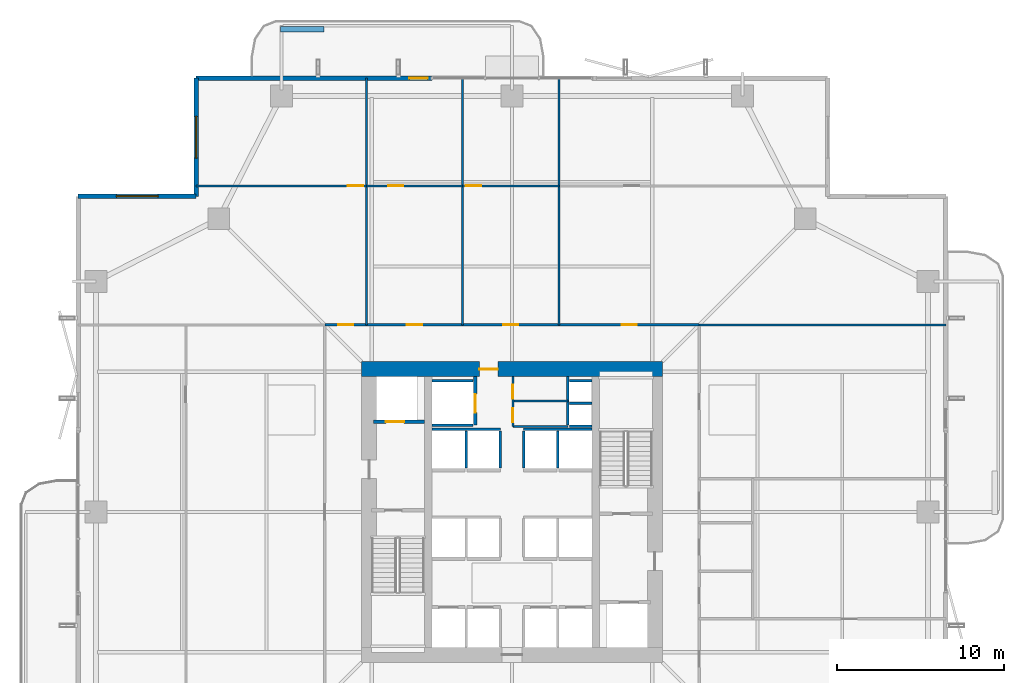
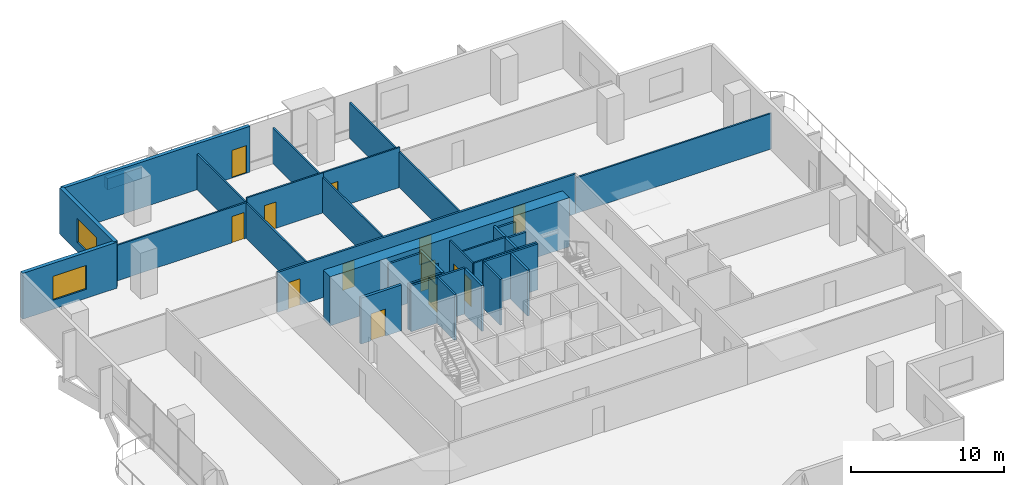
# One storey, part 19 of 24: 30 walls, 13 doors, 2 windows, 15 openings.
"""IFC4 building model written with IfcOpenShell, lengths in metres."""

from ifc_helpers import new_model, si_unit, direction, frame, frame_2d, origin, place, context, subcontext, project, spatial, rectangle, extrude, material, layer, layer_set, type_object, element, fill, save


model = new_model("IFC4")

# Units and contexts
model_context = context("Model", 3, precision=1e-05, world=origin(), true_north=direction((0.0, 1.0)))
body_context = subcontext(model_context, "Body", "Model", "MODEL_VIEW")
ifc_project = project(units=[si_unit("LENGTHUNIT", "METRE"), si_unit("AREAUNIT", "SQUARE_METRE"), si_unit("VOLUMEUNIT", "CUBIC_METRE"), si_unit("PLANEANGLEUNIT", "RADIAN"), si_unit("MASSUNIT", "GRAM", prefix="KILO")], contexts=[model_context])

# Site, building, storey
site_placement = place(None, origin())
site = spatial("IfcSite", under=ifc_project, at=site_placement, CompositionType="ELEMENT")
building_placement = place(site_placement, origin())
building = spatial("IfcBuilding", under=site, at=building_placement, Name="Belovzor Exchange Tower", CompositionType="ELEMENT")
storey_placement = place(building_placement, frame((0.0, 0.0, 129.0)))
storey = spatial("IfcBuildingStorey", under=building, at=storey_placement, Name="L31", CompositionType="ELEMENT", Elevation=129.0)

# Wall, opening, door
ifc_material_1 = material(Name="Acoustic Plasterboard on Galvanised Studs", Category="gypsum")
ifc_layer_1 = layer(ifc_material_1, 0.1201171875)
ifc_layer_set_1 = layer_set([ifc_layer_1], Name="Acoustic Plasterboard on Galvanised Studs")
wall_type_1 = type_object("IfcWallType", Name="Acoustic Double-Stud Partition Wall 120", PredefinedType="PARTITIONING", material=ifc_layer_set_1)
wall_1_placement = place(storey_placement, frame((9.89990234375, 48.320068359375, 0.0), z_axis=(0.0, 0.0, 1.0), x_axis=(1.0, 0.0, 0.0)))
wall_1 = element("IfcWall", 1, at=wall_1_placement, inside=storey, type_object=wall_type_1, Name="W-P120 Partition Wall W-L31-NHDIV-0", PredefinedType="PARTITIONING", context=body_context, shape_type="SweptSolid", body=[
    extrude(rectangle(XDim=10.18212890625, YDim=0.1201171875, at=frame_2d((5.091064453125, 0.0))), origin(), (0.0, 0.0, 1.0), 2.8349609375),
])
opening_1_placement = place(wall_1_placement, frame((9.08203125, 0.0, 0.0)))
opening_1 = element("IfcOpeningElement", 2, at=opening_1_placement, cuts=wall_1, Name="Opening D-INT-090", PredefinedType="OPENING", context=body_context, shape_type="SweptSolid", body=[
    extrude(rectangle(XDim=0.89990234375, YDim=2.10009765625, at=frame_2d((0.449951171875, 1.050048828125))), frame((0.0, 0.070068359375, 0.0), z_axis=(0.0, -1.0, 0.0), x_axis=(1.0, 0.0, 0.0)), (0.0, 0.0, 1.0), 0.14013671875),
])
ifc_material_2 = material(Name="Veneered Hardwood Acoustic Leaf", Category="wood")
door_type_1 = type_object("IfcDoorType", Name="Trading Suite Acoustic Single Door 900x2100", OperationType="NOTDEFINED", PredefinedType="DOOR", material=ifc_material_2)
door_1_placement = place(opening_1_placement, origin())
door_1 = element("IfcDoor", 3, at=door_1_placement, inside=storey, type_object=door_type_1, Name="D-INT-090 Trading Suite Acoustic Single Door 900x2100", OperationType="SINGLE_SWING_RIGHT", OverallHeight=2.10009765625, OverallWidth=0.89990234375, PredefinedType="DOOR", context=body_context, shape_type="SweptSolid", body=[
    extrude(rectangle(XDim=0.89990234375, YDim=2.10009765625, at=frame_2d((0.449951171875, 1.050048828125))), frame((0.0, 0.02490234375, 0.0), z_axis=(0.0, -1.0, 0.0), x_axis=(1.0, 0.0, 0.0)), (0.0, 0.0, 1.0), 0.050048828125),
])
fill(opening_1, door_1)

# Wall
wall_2_placement = place(storey_placement, frame((20.08203125, 40.0, 0.0), z_axis=(0.0, 0.0, 1.0), x_axis=(0.0, 1.0, 0.0)))
element("IfcWall", 4, at=wall_2_placement, inside=storey, type_object=wall_type_1, Name="W-P120 Partition Wall W-L31-NDIV-1", PredefinedType="PARTITIONING", context=body_context, shape_type="SweptSolid", body=[
    extrude(rectangle(XDim=14.77001953125, YDim=0.1201171875, at=frame_2d((7.385009765625, 0.0))), origin(), (0.0, 0.0, 1.0), 2.8349609375),
])

# Wall, opening, door
wall_3_placement = place(storey_placement, frame((20.08203125, 48.320068359375, 0.0), z_axis=(0.0, 0.0, 1.0), x_axis=(1.0, 0.0, 0.0)))
wall_3 = element("IfcWall", 5, at=wall_3_placement, inside=storey, type_object=wall_type_1, Name="W-P120 Partition Wall W-L31-NHDIV-1", PredefinedType="PARTITIONING", context=body_context, shape_type="SweptSolid", body=[
    extrude(rectangle(XDim=5.763916015625, YDim=0.1201171875, at=frame_2d((2.8818359375, 0.0))), origin(), (0.0, 0.0, 1.0), 3.18505859375),
])
opening_2_placement = place(wall_3_placement, frame((1.31591796875, 0.0, 0.0)))
opening_2 = element("IfcOpeningElement", 6, at=opening_2_placement, cuts=wall_3, Name="Opening D-INT-090", PredefinedType="OPENING", context=body_context, shape_type="SweptSolid", body=[
    extrude(rectangle(XDim=0.89990234375, YDim=2.10009765625, at=frame_2d((0.449951171875, 1.050048828125))), frame((0.0, 0.070068359375, 0.0), z_axis=(0.0, -1.0, 0.0), x_axis=(1.0, 0.0, 0.0)), (0.0, 0.0, 1.0), 0.14013671875),
])
door_2_placement = place(opening_2_placement, origin())
door_2 = element("IfcDoor", 7, at=door_2_placement, inside=storey, type_object=door_type_1, Name="D-INT-090 Trading Suite Acoustic Single Door 900x2100", OperationType="SINGLE_SWING_RIGHT", OverallHeight=2.10009765625, OverallWidth=0.89990234375, PredefinedType="DOOR", context=body_context, shape_type="SweptSolid", body=[
    extrude(rectangle(XDim=0.89990234375, YDim=2.10009765625, at=frame_2d((0.449951171875, 1.050048828125))), frame((0.0, 0.02490234375, 0.0), z_axis=(0.0, -1.0, 0.0), x_axis=(1.0, 0.0, 0.0)), (0.0, 0.0, 1.0), 0.050048828125),
])
fill(opening_2, door_2)

# Wall
wall_4_placement = place(storey_placement, frame((25.845947265625, 40.0, 0.0), z_axis=(0.0, 0.0, 1.0), x_axis=(0.0, 1.0, 0.0)))
element("IfcWall", 8, at=wall_4_placement, inside=storey, type_object=wall_type_1, Name="W-P120 Partition Wall W-L31-NDIV-2", PredefinedType="PARTITIONING", context=body_context, shape_type="SweptSolid", body=[
    extrude(rectangle(XDim=14.77001953125, YDim=0.1201171875, at=frame_2d((7.385009765625, 0.0))), origin(), (0.0, 0.0, 1.0), 2.8349609375),
])

# Wall, opening, door
wall_5_placement = place(storey_placement, frame((25.845947265625, 48.320068359375, 0.0), z_axis=(0.0, 0.0, 1.0), x_axis=(1.0, 0.0, 0.0)))
wall_5 = element("IfcWall", 9, at=wall_5_placement, inside=storey, type_object=wall_type_1, Name="W-P120 Partition Wall W-L31-NHDIV-2", PredefinedType="PARTITIONING", context=body_context, shape_type="SweptSolid", body=[
    extrude(rectangle(XDim=5.76513671875, YDim=0.1201171875, at=frame_2d((2.882568359375, 0.0))), origin(), (0.0, 0.0, 1.0), 3.18505859375),
])
opening_3_placement = place(wall_5_placement, frame((0.199951171875, 0.0, 0.0)))
opening_3 = element("IfcOpeningElement", 10, at=opening_3_placement, cuts=wall_5, Name="Opening D-INT-090", PredefinedType="OPENING", context=body_context, shape_type="SweptSolid", body=[
    extrude(rectangle(XDim=0.89990234375, YDim=2.10009765625, at=frame_2d((0.449951171875, 1.050048828125))), frame((0.0, 0.070068359375, 0.0), z_axis=(0.0, -1.0, 0.0), x_axis=(1.0, 0.0, 0.0)), (0.0, 0.0, 1.0), 0.14013671875),
])
door_3_placement = place(opening_3_placement, origin())
door_3 = element("IfcDoor", 11, at=door_3_placement, inside=storey, type_object=door_type_1, Name="D-INT-090 Trading Suite Acoustic Single Door 900x2100", OperationType="SINGLE_SWING_RIGHT", OverallHeight=2.10009765625, OverallWidth=0.89990234375, PredefinedType="DOOR", context=body_context, shape_type="SweptSolid", body=[
    extrude(rectangle(XDim=0.89990234375, YDim=2.10009765625, at=frame_2d((0.449951171875, 1.050048828125))), frame((0.0, 0.02490234375, 0.0), z_axis=(0.0, -1.0, 0.0), x_axis=(1.0, 0.0, 0.0)), (0.0, 0.0, 1.0), 0.050048828125),
])
fill(opening_3, door_3)

# Walls
for number, where, z_axis, x_axis, name in (
    (12, (31.611083984375, 40.0, 0.0), (0.0, 0.0, 1.0), (0.0, 1.0, 0.0), "W-P120 Partition Wall W-L31-NDIV-3"),
    (13, (40.0, 40.0, 0.0), (0.0, 0.0, 1.0), (1.0, 0.0, 0.0), "W-P120 Partition Wall W-L31-END-NE"),
):
    element("IfcWall", number, at=place(storey_placement, frame(where, z_axis=z_axis, x_axis=x_axis)), inside=storey, type_object=wall_type_1, Name=name, PredefinedType="PARTITIONING", context=body_context, shape_type="SweptSolid", body=[
        extrude(rectangle(XDim=14.77001953125, YDim=0.1201171875, at=frame_2d((7.385009765625, 0.0))), origin(), (0.0, 0.0, 1.0), 2.8349609375),
    ])

# Wall, openings, doors
ifc_material_3 = material(Name="Fire-Rated Plasterboard on Galvanised Studs", Category="gypsum")
ifc_layer_2 = layer(ifc_material_3, 0.1201171875)
ifc_layer_set_2 = layer_set([ifc_layer_2], Name="Fire-Rated Plasterboard on Galvanised Studs")
wall_type_2 = type_object("IfcWallType", Name="Fire-Rated Double-Stud Partition Wall 120", PredefinedType="PARTITIONING", material=ifc_layer_set_2)
wall_6_placement = place(storey_placement, frame((28.85009765625, 33.925048828125, 0.0), z_axis=(0.0, 0.0, 1.0), x_axis=(0.0, 1.0, 0.0)))
wall_6 = element("IfcWall", 14, at=wall_6_placement, inside=storey, type_object=wall_type_2, Name="W-P120F Partition Wall W-CRV-L31-W", PredefinedType="PARTITIONING", context=body_context, shape_type="SweptSolid", body=[
    extrude(rectangle(XDim=2.974853515625, YDim=0.1201171875, at=frame_2d((1.4873046875, 0.0))), origin(), (0.0, 0.0, 1.0), 3.64990234375),
])
opening_4_placement = place(wall_6_placement, frame((0.25, 0.0, 0.0)))
opening_4 = element("IfcOpeningElement", 15, at=opening_4_placement, cuts=wall_6, Name="Opening D-FD60-085", PredefinedType="OPENING", context=body_context, shape_type="SweptSolid", body=[
    extrude(rectangle(XDim=0.85009765625, YDim=2.10009765625, at=frame_2d((0.425048828125, 1.050048828125))), frame((0.0, 0.070068359375, 0.0), z_axis=(0.0, -1.0, 0.0), x_axis=(1.0, 0.0, 0.0)), (0.0, 0.0, 1.0), 0.14013671875),
])
opening_5_placement = place(wall_6_placement, frame((1.64501953125, 0.0, 0.0)))
opening_5 = element("IfcOpeningElement", 16, at=opening_5_placement, cuts=wall_6, Name="Opening D-FD60-085", PredefinedType="OPENING", context=body_context, shape_type="SweptSolid", body=[
    extrude(rectangle(XDim=0.85009765625, YDim=2.10009765625, at=frame_2d((0.425048828125, 1.050048828125))), frame((0.0, 0.070068359375, 0.0), z_axis=(0.0, -1.0, 0.0), x_axis=(1.0, 0.0, 0.0)), (0.0, 0.0, 1.0), 0.14013671875),
])
ifc_material_4 = material(Name="Fire-Rated Steel Access Leaf", Category="steel")
door_type_2 = type_object("IfcDoorType", Name="Riser & Meter Closet Access Fire Door 850x2100", OperationType="NOTDEFINED", PredefinedType="DOOR", material=ifc_material_4)
door_4_placement = place(opening_4_placement, origin())
door_4 = element("IfcDoor", 17, at=door_4_placement, inside=storey, type_object=door_type_2, Name="D-FD60-085 Riser & Meter Closet Access Fire Door 850x2100", OperationType="SINGLE_SWING_LEFT", OverallHeight=2.10009765625, OverallWidth=0.85009765625, PredefinedType="DOOR", context=body_context, shape_type="SweptSolid", body=[
    extrude(rectangle(XDim=0.85009765625, YDim=2.10009765625, at=frame_2d((0.425048828125, 1.050048828125))), frame((0.0, 0.02490234375, 0.0), z_axis=(0.0, -1.0, 0.0), x_axis=(1.0, 0.0, 0.0)), (0.0, 0.0, 1.0), 0.050048828125),
])
fill(opening_4, door_4)
door_5_placement = place(opening_5_placement, origin())
door_5 = element("IfcDoor", 18, at=door_5_placement, inside=storey, type_object=door_type_2, Name="D-FD60-085 Riser & Meter Closet Access Fire Door 850x2100", OperationType="SINGLE_SWING_RIGHT", OverallHeight=2.10009765625, OverallWidth=0.85009765625, PredefinedType="DOOR", context=body_context, shape_type="SweptSolid", body=[
    extrude(rectangle(XDim=0.85009765625, YDim=2.10009765625, at=frame_2d((0.425048828125, 1.050048828125))), frame((0.0, 0.02490234375, 0.0), z_axis=(0.0, -1.0, 0.0), x_axis=(1.0, 0.0, 0.0)), (0.0, 0.0, 1.0), 0.050048828125),
])
fill(opening_5, door_5)

# Walls
for number, where, z_axis, x_axis, name in (
    (19, (28.85009765625, 35.449951171875, 0.0), (0.0, 0.0, 1.0), (1.0, 0.0, 0.0), "W-P120F Partition Wall W-CRV-L31-M"),
    (20, (28.85009765625, 33.925048828125, 0.0), (0.0, 0.0, 1.0), (1.0, 0.0, 0.0), "W-P120F Partition Wall W-CRV-L31-S"),
):
    element("IfcWall", number, at=place(storey_placement, frame(where, z_axis=z_axis, x_axis=x_axis)), inside=storey, type_object=wall_type_2, Name=name, PredefinedType="PARTITIONING", context=body_context, shape_type="SweptSolid", body=[
        extrude(rectangle(XDim=3.2998046875, YDim=0.1201171875, at=frame_2d((1.64990234375, 0.0))), origin(), (0.0, 0.0, 1.0), 3.64990234375),
    ])

# Wall, openings, doors
ifc_material_5 = material(Name="Fire-Rated Gypsum Block and Mineral Wool", Category="gypsum")
ifc_layer_3 = layer(ifc_material_5, 0.14990234375)
ifc_layer_set_3 = layer_set([ifc_layer_3], Name="Fire-Rated Gypsum Block and Mineral Wool")
wall_type_3 = type_object("IfcWallType", Name="Fire-Rated Gypsum Block Corridor Wall 150", PredefinedType="PARTITIONING", material=ifc_layer_set_3)
wall_7_placement = place(storey_placement, frame((17.60009765625, 40.0, 0.0), z_axis=(0.0, 0.0, 1.0), x_axis=(1.0, 0.0, 0.0)))
wall_7 = element("IfcWall", 21, at=wall_7_placement, inside=storey, type_object=wall_type_3, Name="W-P150 Partition Wall W-L31-CN", PredefinedType="PARTITIONING", context=body_context, shape_type="SweptSolid", body=[
    extrude(rectangle(XDim=22.39990234375, YDim=0.14990234375, at=frame_2d((11.199951171875, 0.0))), origin(), (0.0, 0.0, 1.0), 3.18505859375),
])
opening_6_placement = place(wall_7_placement, frame((0.791015625, 0.0, 0.0)))
opening_6 = element("IfcOpeningElement", 22, at=opening_6_placement, cuts=wall_7, Name="Opening D-INT-090", PredefinedType="OPENING", context=body_context, shape_type="SweptSolid", body=[
    extrude(rectangle(XDim=0.89990234375, YDim=2.10009765625, at=frame_2d((0.449951171875, 1.050048828125))), frame((0.0, 0.0849609375, 0.0), z_axis=(0.0, -1.0, 0.0), x_axis=(1.0, 0.0, 0.0)), (0.0, 0.0, 1.0), 0.169921875),
])
opening_7_placement = place(wall_7_placement, frame((4.9140625, 0.0, 0.0)))
opening_7 = element("IfcOpeningElement", 23, at=opening_7_placement, cuts=wall_7, Name="Opening D-INT-090", PredefinedType="OPENING", context=body_context, shape_type="SweptSolid", body=[
    extrude(rectangle(XDim=0.89990234375, YDim=2.10009765625, at=frame_2d((0.449951171875, 1.050048828125))), frame((0.0, 0.0849609375, 0.0), z_axis=(0.0, -1.0, 0.0), x_axis=(1.0, 0.0, 0.0)), (0.0, 0.0, 1.0), 0.169921875),
])
opening_8_placement = place(wall_7_placement, frame((10.677978515625, 0.0, 0.0)))
opening_8 = element("IfcOpeningElement", 24, at=opening_8_placement, cuts=wall_7, Name="Opening D-INT-090", PredefinedType="OPENING", context=body_context, shape_type="SweptSolid", body=[
    extrude(rectangle(XDim=0.89990234375, YDim=2.10009765625, at=frame_2d((0.449951171875, 1.050048828125))), frame((0.0, 0.0849609375, 0.0), z_axis=(0.0, -1.0, 0.0), x_axis=(1.0, 0.0, 0.0)), (0.0, 0.0, 1.0), 0.169921875),
])
opening_9_placement = place(wall_7_placement, frame((17.7548828125, 0.0, 0.0)))
opening_9 = element("IfcOpeningElement", 25, at=opening_9_placement, cuts=wall_7, Name="Opening D-INT-090", PredefinedType="OPENING", context=body_context, shape_type="SweptSolid", body=[
    extrude(rectangle(XDim=0.89990234375, YDim=2.10009765625, at=frame_2d((0.449951171875, 1.050048828125))), frame((0.0, 0.0849609375, 0.0), z_axis=(0.0, -1.0, 0.0), x_axis=(1.0, 0.0, 0.0)), (0.0, 0.0, 1.0), 0.169921875),
])
door_6_placement = place(opening_6_placement, origin())
door_6 = element("IfcDoor", 26, at=door_6_placement, inside=storey, type_object=door_type_1, Name="D-INT-090 Trading Suite Acoustic Single Door 900x2100", OperationType="SINGLE_SWING_RIGHT", OverallHeight=2.10009765625, OverallWidth=0.89990234375, PredefinedType="DOOR", context=body_context, shape_type="SweptSolid", body=[
    extrude(rectangle(XDim=0.89990234375, YDim=2.10009765625, at=frame_2d((0.449951171875, 1.050048828125))), frame((0.0, 0.02490234375, 0.0), z_axis=(0.0, -1.0, 0.0), x_axis=(1.0, 0.0, 0.0)), (0.0, 0.0, 1.0), 0.050048828125),
])
fill(opening_6, door_6)
door_7_placement = place(opening_7_placement, origin())
door_7 = element("IfcDoor", 27, at=door_7_placement, inside=storey, type_object=door_type_1, Name="D-INT-090 Trading Suite Acoustic Single Door 900x2100", OperationType="SINGLE_SWING_LEFT", OverallHeight=2.10009765625, OverallWidth=0.89990234375, PredefinedType="DOOR", context=body_context, shape_type="SweptSolid", body=[
    extrude(rectangle(XDim=0.89990234375, YDim=2.10009765625, at=frame_2d((0.449951171875, 1.050048828125))), frame((0.0, 0.02490234375, 0.0), z_axis=(0.0, -1.0, 0.0), x_axis=(1.0, 0.0, 0.0)), (0.0, 0.0, 1.0), 0.050048828125),
])
fill(opening_7, door_7)
door_8_placement = place(opening_8_placement, origin())
door_8 = element("IfcDoor", 28, at=door_8_placement, inside=storey, type_object=door_type_1, Name="D-INT-090 Trading Suite Acoustic Single Door 900x2100", OperationType="SINGLE_SWING_RIGHT", OverallHeight=2.10009765625, OverallWidth=0.89990234375, PredefinedType="DOOR", context=body_context, shape_type="SweptSolid", body=[
    extrude(rectangle(XDim=0.89990234375, YDim=2.10009765625, at=frame_2d((0.449951171875, 1.050048828125))), frame((0.0, 0.02490234375, 0.0), z_axis=(0.0, -1.0, 0.0), x_axis=(1.0, 0.0, 0.0)), (0.0, 0.0, 1.0), 0.050048828125),
])
fill(opening_8, door_8)
door_9_placement = place(opening_9_placement, origin())
door_9 = element("IfcDoor", 29, at=door_9_placement, inside=storey, type_object=door_type_1, Name="D-INT-090 Trading Suite Acoustic Single Door 900x2100", OperationType="SINGLE_SWING_LEFT", OverallHeight=2.10009765625, OverallWidth=0.89990234375, PredefinedType="DOOR", context=body_context, shape_type="SweptSolid", body=[
    extrude(rectangle(XDim=0.89990234375, YDim=2.10009765625, at=frame_2d((0.449951171875, 1.050048828125))), frame((0.0, 0.02490234375, 0.0), z_axis=(0.0, -1.0, 0.0), x_axis=(1.0, 0.0, 0.0)), (0.0, 0.0, 1.0), 0.050048828125),
])
fill(opening_9, door_9)

# Wall, opening, window
ifc_material_6 = material(Name="Precast concrete C40/50", Category="concrete")
ifc_layer_4 = layer(ifc_material_6, 0.280029296875)
ifc_layer_set_4 = layer_set([ifc_layer_4], Name="Precast concrete C40/50")
wall_type_4 = type_object("IfcWallType", Name="Precast Concrete Notched Corner Frame Wall 280", PredefinedType="SOLIDWALL", material=ifc_layer_set_4)
wall_8_placement = place(storey_placement, frame((2.830078125, 47.699951171875, 0.0), z_axis=(0.0, 0.0, 1.0), x_axis=(1.0, 0.0, 0.0)))
wall_8 = element("IfcWall", 30, at=wall_8_placement, inside=storey, type_object=wall_type_4, Name="W-CRN280 Precast Concrete Notched Corner Frame Wall 280 L31", PredefinedType="SOLIDWALL", context=body_context, shape_type="SweptSolid", body=[
    extrude(rectangle(XDim=7.06982421875, YDim=0.280029296875, at=frame_2d((3.534912109375, 0.0))), origin(), (0.0, 0.0, 1.0), 3.64990234375),
])
opening_10_placement = place(wall_8_placement, frame((2.284912109375, 0.0, 0.719970703125)))
opening_10 = element("IfcOpeningElement", 31, at=opening_10_placement, cuts=wall_8, Name="Opening WN-CRN250", PredefinedType="OPENING", context=body_context, shape_type="SweptSolid", body=[
    extrude(rectangle(XDim=2.5, YDim=1.89990234375, at=frame_2d((1.25, 0.949951171875))), frame((0.0, 0.14990234375, 0.0), z_axis=(0.0, -1.0, 0.0), x_axis=(1.0, 0.0, 0.0)), (0.0, 0.0, 1.0), 0.300048828125),
])
ifc_material_7 = material(Name="Thermally Broken Aluminium and Triple Glazing", Category="aluminium")
window_type = type_object("IfcWindowType", Name="Streamline Moderne Corner Wrap Ribbon Window 2500x1900", PartitioningType="SINGLE_PANEL", PredefinedType="WINDOW", material=ifc_material_7)
window_1_placement = place(opening_10_placement, origin())
window_1 = element("IfcWindow", 32, at=window_1_placement, inside=storey, type_object=window_type, Name="WN-CRN250 Streamline Moderne Corner Wrap Ribbon Window 2500x1900", OverallHeight=1.89990234375, OverallWidth=2.5, PartitioningType="SINGLE_PANEL", PredefinedType="WINDOW", context=body_context, shape_type="SweptSolid", body=[
    extrude(rectangle(XDim=2.5, YDim=1.89990234375, at=frame_2d((1.25, 0.949951171875))), frame((0.0, 0.030029296875, 0.0), z_axis=(0.0, -1.0, 0.0), x_axis=(1.0, 0.0, 0.0)), (0.0, 0.0, 1.0), 0.06005859375),
])
fill(opening_10, window_1)

wall_9_placement = place(storey_placement, frame((9.89990234375, 47.699951171875, 0.0), z_axis=(0.0, 0.0, 1.0), x_axis=(0.0, 1.0, 0.0)))
wall_9 = element("IfcWall", 33, at=wall_9_placement, inside=storey, type_object=wall_type_4, Name="W-CRN280 Precast Concrete Notched Corner Frame Wall 280 L31", PredefinedType="SOLIDWALL", context=body_context, shape_type="SweptSolid", body=[
    extrude(rectangle(XDim=7.070068359375, YDim=0.280029296875, at=frame_2d((3.53515625, 0.0))), origin(), (0.0, 0.0, 1.0), 3.64990234375),
])
opening_11_placement = place(wall_9_placement, frame((2.284912109375, 0.0, 0.719970703125)))
opening_11 = element("IfcOpeningElement", 34, at=opening_11_placement, cuts=wall_9, Name="Opening WN-CRN250", PredefinedType="OPENING", context=body_context, shape_type="SweptSolid", body=[
    extrude(rectangle(XDim=2.5, YDim=1.89990234375, at=frame_2d((1.25, 0.949951171875))), frame((0.0, 0.14990234375, 0.0), z_axis=(0.0, -1.0, 0.0), x_axis=(1.0, 0.0, 0.0)), (0.0, 0.0, 1.0), 0.300048828125),
])
window_2_placement = place(opening_11_placement, origin())
window_2 = element("IfcWindow", 35, at=window_2_placement, inside=storey, type_object=window_type, Name="WN-CRN250 Streamline Moderne Corner Wrap Ribbon Window 2500x1900", OverallHeight=1.89990234375, OverallWidth=2.5, PartitioningType="SINGLE_PANEL", PredefinedType="WINDOW", context=body_context, shape_type="SweptSolid", body=[
    extrude(rectangle(XDim=2.5, YDim=1.89990234375, at=frame_2d((1.25, 0.949951171875))), frame((0.0, 0.030029296875, 0.0), z_axis=(0.0, -1.0, 0.0), x_axis=(1.0, 0.0, 0.0)), (0.0, 0.0, 1.0), 0.06005859375),
])
fill(opening_11, window_2)

# Wall, opening, door
ifc_material_8 = material(Name="Precast concrete C40/50", Category="concrete")
ifc_layer_5 = layer(ifc_material_8, 0.260009765625)
ifc_layer_set_5 = layer_set([ifc_layer_5], Name="Precast concrete C40/50")
wall_type_5 = type_object("IfcWallType", Name="Precast Concrete Perimeter Loggia Frame Wall 260", PredefinedType="SOLIDWALL", material=ifc_layer_set_5)
wall_10_placement = place(storey_placement, frame((9.89990234375, 54.77001953125, 0.0), z_axis=(0.0, 0.0, 1.0), x_axis=(1.0, 0.0, 0.0)))
wall_10 = element("IfcWall", 36, at=wall_10_placement, inside=storey, type_object=wall_type_5, Name="W-EXT260 Precast Concrete Perimeter Loggia Frame Wall 260 L31", PredefinedType="SOLIDWALL", context=body_context, shape_type="SweptSolid", body=[
    extrude(rectangle(XDim=14.10009765625, YDim=0.260009765625, at=frame_2d((7.050048828125, 0.0))), origin(), (0.0, 0.0, 1.0), 3.64990234375),
])
opening_12_placement = place(wall_10_placement, frame((12.75, 0.0, 0.0)))
opening_12 = element("IfcOpeningElement", 37, at=opening_12_placement, cuts=wall_10, Name="Opening D-BAL110", PredefinedType="OPENING", context=body_context, shape_type="SweptSolid", body=[
    extrude(rectangle(XDim=1.10009765625, YDim=2.199951171875, at=frame_2d((0.550048828125, 1.10009765625))), frame((0.0, 0.139892578125, 0.0), z_axis=(0.0, -1.0, 0.0), x_axis=(1.0, 0.0, 0.0)), (0.0, 0.0, 1.0), 0.280029296875),
])
ifc_material_9 = material(Name="Thermally Broken Anodised Aluminium and Laminated Glass", Category="aluminium")
door_type_3 = type_object("IfcDoorType", Name="Planted Loggia Terrace Glazed Door 1100x2200", OperationType="SINGLE_SWING_LEFT", PredefinedType="DOOR", material=ifc_material_9)
door_10_placement = place(opening_12_placement, origin())
door_10 = element("IfcDoor", 38, at=door_10_placement, inside=storey, type_object=door_type_3, Name="D-BAL110 Balcony Terrace Door L31 N", OperationType="SINGLE_SWING_RIGHT", OverallHeight=2.199951171875, OverallWidth=1.10009765625, PredefinedType="DOOR", context=body_context, shape_type="SweptSolid", body=[
    extrude(rectangle(XDim=1.10009765625, YDim=2.199951171875, at=frame_2d((0.550048828125, 1.10009765625))), frame((0.0, 0.02490234375, 0.0), z_axis=(0.0, -1.0, 0.0), x_axis=(1.0, 0.0, 0.0)), (0.0, 0.0, 1.0), 0.050048828125),
])
fill(opening_12, door_10)

# Walls
ifc_material_10 = material(Name="Precast concrete C40/50", Category="concrete")
ifc_layer_6 = layer(ifc_material_10, 0.35009765625)
ifc_layer_set_6 = layer_set([ifc_layer_6], Name="Precast concrete C40/50")
wall_type_6 = type_object("IfcWallType", Name="Precast Concrete Structural Tree Planter Trough 350", PredefinedType="PARAPET", material=ifc_layer_set_6)
wall_11_placement = place(storey_placement, frame((14.949951171875, 57.699951171875, 0.0), z_axis=(0.0, 0.0, 1.0), x_axis=(1.0, 0.0, 0.0)))
element("IfcWall", 39, at=wall_11_placement, inside=storey, type_object=wall_type_6, Name="PT-350 Precast Concrete Structural Tree Planter Trough 350 L31", PredefinedType="PARAPET", context=body_context, shape_type="SweptSolid", body=[
    extrude(rectangle(XDim=2.60009765625, YDim=0.35009765625, at=frame_2d((1.300048828125, 0.0))), origin(), (0.0, 0.0, 1.0), 0.89990234375),
])
ifc_material_11 = material(Name="Concrete C50/60", Category="concrete")
ifc_layer_7 = layer(ifc_material_11, 0.14990234375)
ifc_layer_set_7 = layer_set([ifc_layer_7], Name="Concrete C50/60")
wall_type_7 = type_object("IfcWallType", Name="Reinforced Concrete Core Riser Shear Wall 150", PredefinedType="SHEAR", material=ifc_layer_set_7)
wall_12_placement = place(storey_placement, frame((32.14990234375, 34.0, 0.0), z_axis=(0.0, 0.0, 1.0), x_axis=(0.0, 1.0, 0.0)))
element("IfcWall", 40, at=wall_12_placement, inside=storey, type_object=wall_type_7, Name="W-C150S Core Shaft Wall W-RSR-L31-E", PredefinedType="SHEAR", context=body_context, shape_type="SweptSolid", body=[
    extrude(rectangle(XDim=2.89990234375, YDim=0.14990234375, at=frame_2d((1.449951171875, 0.0))), origin(), (0.0, 0.0, 1.0), 3.64990234375),
])
for number, where, z_axis, x_axis, name in (
    (41, (32.25, 33.925048828125, 0.0), (0.0, 0.0, 1.0), (1.0, 0.0, 0.0), "W-C150S Core Shaft Wall W-RSR-L31-S"),
    (42, (32.25, 35.300048828125, 0.0), (0.0, 0.0, 1.0), (1.0, 0.0, 0.0), "W-C150S Core Shaft Wall W-RSR-L31-M"),
):
    element("IfcWall", number, at=place(storey_placement, frame(where, z_axis=z_axis, x_axis=x_axis)), inside=storey, type_object=wall_type_7, Name=name, PredefinedType="SHEAR", context=body_context, shape_type="SweptSolid", body=[
        extrude(rectangle(XDim=1.330078125, YDim=0.14990234375, at=frame_2d((0.6650390625, 0.0))), origin(), (0.0, 0.0, 1.0), 3.64990234375),
    ])
for number, where, z_axis, x_axis, name in (
    (43, (24.0, 34.0, 0.0), (0.0, 0.0, 1.0), (1.0, 0.0, 0.0), "W-C150S Core Shaft Wall W-SH-L31-SL-01S"),
    (44, (24.0, 36.64990234375, 0.0), (0.0, 0.0, 1.0), (1.0, 0.0, 0.0), "W-C150S Core Shaft Wall W-SH-L31-SL-01N"),
):
    element("IfcWall", number, at=place(storey_placement, frame(where, z_axis=z_axis, x_axis=x_axis)), inside=storey, type_object=wall_type_7, Name=name, PredefinedType="SHEAR", context=body_context, shape_type="SweptSolid", body=[
        extrude(rectangle(XDim=2.47998046875, YDim=0.14990234375, at=frame_2d((1.239990234375, 0.0))), origin(), (0.0, 0.0, 1.0), 3.64990234375),
    ])
wall_13_placement = place(storey_placement, frame((32.25, 36.64990234375, 0.0), z_axis=(0.0, 0.0, 1.0), x_axis=(1.0, 0.0, 0.0)))
element("IfcWall", 45, at=wall_13_placement, inside=storey, type_object=wall_type_7, Name="W-C150S Core Shaft Wall W-RSR-L31-N", PredefinedType="SHEAR", context=body_context, shape_type="SweptSolid", body=[
    extrude(rectangle(XDim=1.330078125, YDim=0.14990234375, at=frame_2d((0.6650390625, 0.0))), origin(), (0.0, 0.0, 1.0), 3.64990234375),
])
for number, where, z_axis, x_axis, name in (
    (46, (24.02001953125, 33.760009765625, 0.0), (0.0, 0.0, 1.0), (1.0, 0.0, 0.0), "W-C150S Core Shaft Wall W-SHB-L31-PLH-NW"),
    (47, (29.5, 33.760009765625, 0.0), (0.0, 0.0, 1.0), (1.0, 0.0, 0.0), "W-C150S Core Shaft Wall W-SHB-L31-PLH-NE"),
):
    element("IfcWall", number, at=place(storey_placement, frame(where, z_axis=z_axis, x_axis=x_axis)), inside=storey, type_object=wall_type_7, Name=name, PredefinedType="SHEAR", context=body_context, shape_type="SweptSolid", body=[
        extrude(rectangle(XDim=4.080078125, YDim=0.14990234375, at=frame_2d((2.0400390625, 0.0))), origin(), (0.0, 0.0, 1.0), 3.64990234375),
    ])
for number, where, z_axis, x_axis, name in (
    (48, (26.050048828125, 31.419921875, 0.0), (0.0, 0.0, 1.0), (0.0, 1.0, 0.0), "W-C150S Core Shaft Wall W-SHD-L31-PLH-1"),
    (49, (28.10009765625, 31.419921875, 0.0), (0.0, 0.0, 1.0), (0.0, 1.0, 0.0), "W-C150S Core Shaft Wall W-SHD-L31-PLH-2"),
    (50, (29.5, 31.419921875, 0.0), (0.0, 0.0, 1.0), (0.0, 1.0, 0.0), "W-C150S Core Shaft Wall W-SHD-L31-PLH-3"),
    (51, (31.550048828125, 31.419921875, 0.0), (0.0, 0.0, 1.0), (0.0, 1.0, 0.0), "W-C150S Core Shaft Wall W-SHD-L31-PLH-4"),
):
    element("IfcWall", number, at=place(storey_placement, frame(where, z_axis=z_axis, x_axis=x_axis)), inside=storey, type_object=wall_type_7, Name=name, PredefinedType="SHEAR", context=body_context, shape_type="SweptSolid", body=[
        extrude(rectangle(XDim=2.239990234375, YDim=0.14990234375, at=frame_2d((1.1201171875, 0.0))), origin(), (0.0, 0.0, 1.0), 3.64990234375),
    ])

# Wall, opening, door
ifc_material_12 = material(Name="Concrete C50/60", Category="concrete")
ifc_layer_8 = layer(ifc_material_12, 0.199951171875)
ifc_layer_set_8 = layer_set([ifc_layer_8], Name="Concrete C50/60")
wall_type_8 = type_object("IfcWallType", Name="Reinforced Concrete Core Shaft Shear Wall 200", PredefinedType="SHEAR", material=ifc_layer_set_8)
wall_14_placement = place(storey_placement, frame((20.5, 34.199951171875, 0.0), z_axis=(0.0, 0.0, 1.0), x_axis=(1.0, 0.0, 0.0)))
wall_14 = element("IfcWall", 52, at=wall_14_placement, inside=storey, type_object=wall_type_8, Name="W-C200S Core Shaft Wall W-SH-L31-FFL-01", PredefinedType="SHEAR", context=body_context, shape_type="SweptSolid", body=[
    extrude(rectangle(XDim=3.050048828125, YDim=0.199951171875, at=frame_2d((1.52490234375, 0.0))), origin(), (0.0, 0.0, 1.0), 3.64990234375),
])
opening_13_placement = place(wall_14_placement, frame((0.75, 0.0, 0.0)))
opening_13 = element("IfcOpeningElement", 53, at=opening_13_placement, cuts=wall_14, Name="Opening LD-110", PredefinedType="OPENING", context=body_context, shape_type="SweptSolid", body=[
    extrude(rectangle(XDim=1.10009765625, YDim=2.14990234375, at=frame_2d((0.550048828125, 1.074951171875))), frame((0.0, 0.10986328125, 0.0), z_axis=(0.0, -1.0, 0.0), x_axis=(1.0, 0.0, 0.0)), (0.0, 0.0, 1.0), 0.219970703125),
])
ifc_material_13 = material(Name="Stainless Steel Grade 304", Category="steel")
door_type_4 = type_object("IfcDoorType", Name="Automated Stainless Steel Lift Landing Door 1100x2150", OperationType="SLIDING_TO_RIGHT", PredefinedType="DOOR", material=ifc_material_13)
door_11_placement = place(opening_13_placement, origin())
door_11 = element("IfcDoor", 54, at=door_11_placement, inside=storey, type_object=door_type_4, Name="LD-110 Automated Stainless Steel Lift Landing Door 1100x2150", OperationType="SLIDING_TO_RIGHT", OverallHeight=2.14990234375, OverallWidth=1.10009765625, PredefinedType="DOOR", context=body_context, shape_type="SweptSolid", body=[
    extrude(rectangle(XDim=1.10009765625, YDim=2.14990234375, at=frame_2d((0.550048828125, 1.074951171875))), frame((0.0, 0.02490234375, 0.0), z_axis=(0.0, -1.0, 0.0), x_axis=(1.0, 0.0, 0.0)), (0.0, 0.0, 1.0), 0.050048828125),
])
fill(opening_13, door_11)

wall_15_placement = place(storey_placement, frame((26.60009765625, 34.0, 0.0), z_axis=(0.0, 0.0, 1.0), x_axis=(0.0, 1.0, 0.0)))
wall_15 = element("IfcWall", 55, at=wall_15_placement, inside=storey, type_object=wall_type_8, Name="W-C200S Core Shaft Wall W-SH-L31-SL-01", PredefinedType="SHEAR", context=body_context, shape_type="SweptSolid", body=[
    extrude(rectangle(XDim=2.89990234375, YDim=0.199951171875, at=frame_2d((1.449951171875, 0.0))), origin(), (0.0, 0.0, 1.0), 3.64990234375),
])
opening_14_placement = place(wall_15_placement, frame((0.75, 0.0, 0.0)))
opening_14 = element("IfcOpeningElement", 56, at=opening_14_placement, cuts=wall_15, Name="Opening LD-110", PredefinedType="OPENING", context=body_context, shape_type="SweptSolid", body=[
    extrude(rectangle(XDim=1.10009765625, YDim=2.14990234375, at=frame_2d((0.550048828125, 1.074951171875))), frame((0.0, 0.10986328125, 0.0), z_axis=(0.0, -1.0, 0.0), x_axis=(1.0, 0.0, 0.0)), (0.0, 0.0, 1.0), 0.219970703125),
])
door_12_placement = place(opening_14_placement, origin())
door_12 = element("IfcDoor", 57, at=door_12_placement, inside=storey, type_object=door_type_4, Name="LD-110 Automated Stainless Steel Lift Landing Door 1100x2150", OperationType="SLIDING_TO_RIGHT", OverallHeight=2.14990234375, OverallWidth=1.10009765625, PredefinedType="DOOR", context=body_context, shape_type="SweptSolid", body=[
    extrude(rectangle(XDim=1.10009765625, YDim=2.14990234375, at=frame_2d((0.550048828125, 1.074951171875))), frame((0.0, 0.02490234375, 0.0), z_axis=(0.0, -1.0, 0.0), x_axis=(1.0, 0.0, 0.0)), (0.0, 0.0, 1.0), 0.050048828125),
])
fill(opening_14, door_12)

ifc_material_14 = material(Name="Concrete C60/75", Category="concrete")
ifc_layer_9 = layer(ifc_material_14, 0.89990234375)
ifc_layer_set_9 = layer_set([ifc_layer_9], Name="Concrete C60/75")
wall_type_9 = type_object("IfcWallType", Name="Reinforced Concrete Core Shear Wall 900", PredefinedType="SHEAR", material=ifc_layer_set_9)
wall_16_placement = place(storey_placement, frame((19.800048828125, 37.35009765625, 0.0), z_axis=(0.0, 0.0, 1.0), x_axis=(1.0, 0.0, 0.0)))
wall_16 = element("IfcWall", 58, at=wall_16_placement, inside=storey, type_object=wall_type_9, Name="CW-S090 Core Shear Wall L31 N", PredefinedType="SHEAR", context=body_context, shape_type="SweptSolid", body=[
    extrude(rectangle(XDim=18.0, YDim=0.89990234375, at=frame_2d((9.0, 0.0))), origin(), (0.0, 0.0, 1.0), 3.89990234375),
])
opening_15_placement = place(wall_16_placement, frame((7.050048828125, 0.0, 0.0)))
opening_15 = element("IfcOpeningElement", 59, at=opening_15_placement, cuts=wall_16, Name="Opening D-FD90-110", PredefinedType="OPENING", context=body_context, shape_type="SweptSolid", body=[
    extrude(rectangle(XDim=1.10009765625, YDim=2.14990234375, at=frame_2d((0.550048828125, 1.074951171875))), frame((0.0, 0.4599609375, 0.0), z_axis=(0.0, -1.0, 0.0), x_axis=(1.0, 0.0, 0.0)), (0.0, 0.0, 1.0), 0.919921875),
])
ifc_material_15 = material(Name="Fire-Rated Galvanised Steel Leaf", Category="steel")
door_type_5 = type_object("IfcDoorType", Name="Protected Escape Vestibule Fire Door 1100x2150", OperationType="NOTDEFINED", PredefinedType="DOOR", material=ifc_material_15)
door_13_placement = place(opening_15_placement, origin())
door_13 = element("IfcDoor", 60, at=door_13_placement, inside=storey, type_object=door_type_5, Name="D-FD90-110 Protected Escape Vestibule Fire Door 1100x2150", OperationType="SINGLE_SWING_RIGHT", OverallHeight=2.14990234375, OverallWidth=1.10009765625, PredefinedType="DOOR", context=body_context, shape_type="SweptSolid", body=[
    extrude(rectangle(XDim=1.10009765625, YDim=2.14990234375, at=frame_2d((0.550048828125, 1.074951171875))), frame((0.0, 0.02490234375, 0.0), z_axis=(0.0, -1.0, 0.0), x_axis=(1.0, 0.0, 0.0)), (0.0, 0.0, 1.0), 0.050048828125),
])
fill(opening_15, door_13)

save(model, "model.ifc")
